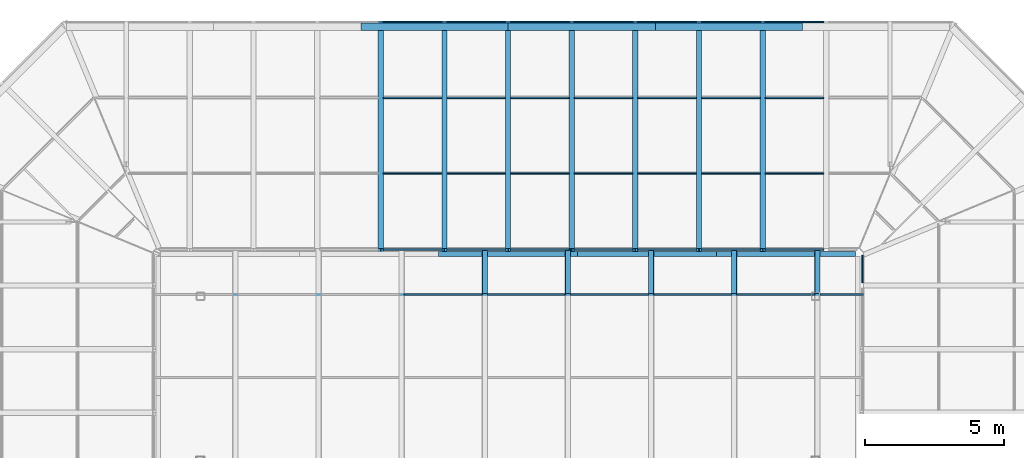
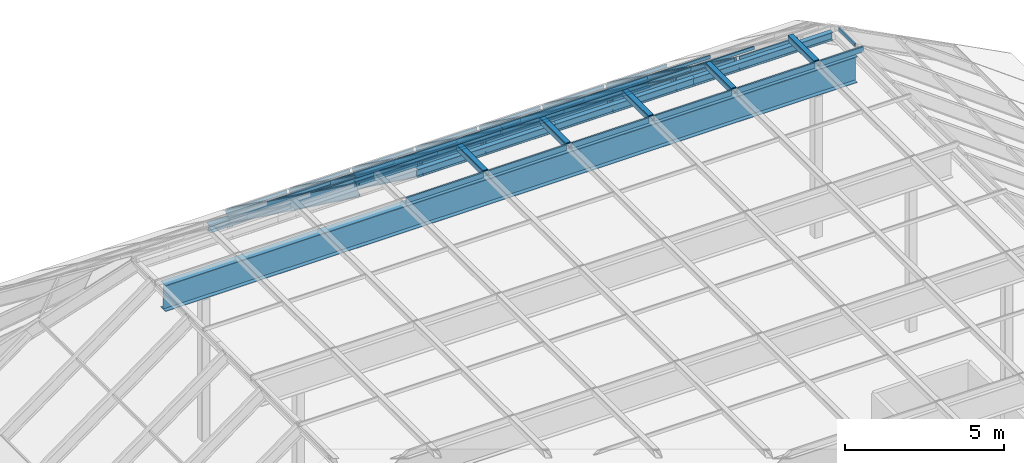
# One storey, part 9 of 15: 59 members, 3 elements without a shape of their own.
"""IFC4 building model written with IfcOpenShell, lengths in metres."""

from ifc_helpers import new_model, si_unit, direction, frame, origin, origin_2d, place, context, subcontext, project, spatial, rectangle, hollow_rectangle, i_section, extrude, material, constituent, constituent_set, material_profile, profile_set, type_object, element, aggregate, save


model = new_model("IFC4")

# Units and contexts
model_context = context("Model", 3, precision=1e-05, world=origin(), true_north=direction((0.0, 1.0)))
body_context = subcontext(model_context, "Body", "Model", "MODEL_VIEW")
ifc_project = project(units=[si_unit("LENGTHUNIT", "METRE"), si_unit("AREAUNIT", "SQUARE_METRE"), si_unit("VOLUMEUNIT", "CUBIC_METRE"), si_unit("PLANEANGLEUNIT", "RADIAN"), si_unit("MASSUNIT", "GRAM", prefix="KILO")], contexts=[model_context])

# Site, building, storey
site_placement = place(None, origin())
site = spatial("IfcSite", under=ifc_project, at=site_placement, CompositionType="ELEMENT")
building_placement = place(site_placement, origin())
building = spatial("IfcBuilding", under=site, at=building_placement, Name="Quoin Convention Tower", CompositionType="ELEMENT")
storey_placement = place(building_placement, frame((0.0, 0.0, 273.699951171875)))
storey = spatial("IfcBuildingStorey", under=building, at=storey_placement, Name="Roof", CompositionType="ELEMENT", Elevation=273.699951171875)

# Member
ifc_material_1 = material(Name="Steel Grade 300", Category="steel")
ifc_material_profile_1 = material_profile(ifc_material_1, i_section(OverallWidth=0.300048828125, OverallDepth=1.0, WebThickness=0.01611328125, FlangeThickness=0.02001953125, at=origin_2d()), Name="1000WB215")
ifc_profile_set_1 = profile_set([ifc_material_profile_1], Name="Steel Grade 300")
member_type_1 = type_object("IfcMemberType", Name="1000WB215 CAP GIRDER", PredefinedType="STRINGER", material=ifc_profile_set_1)
member_1_placement = place(storey_placement, frame((43.7099609375, 71.909912109375, 5.8955078125), z_axis=(1.0, 0.0, 0.0), x_axis=(0.0, 1.0, 0.0)))
element("IfcMember", 1, at=member_1_placement, inside=storey, type_object=member_type_1, Name="LANTERN CAP GIRDER", PredefinedType="STRINGER", context=body_context, shape_type="SweptSolid", body=[
    extrude(i_section(OverallWidth=0.300048828125, OverallDepth=1.0, WebThickness=0.01611328125, FlangeThickness=0.02001953125, at=origin_2d()), origin(), (0.0, 0.0, 1.0), 25.080078125),
])

# Curtain wall, members
ifc_material_2 = material(Name="Aluminium", Category="aluminium")
ifc_constituent_1 = constituent(ifc_material_2, Name="Frame")
ifc_material_3 = material(Name="Insulated glass", Category="glass")
ifc_constituent_2 = constituent(ifc_material_3, Name="Glazing")
ifc_constituent_set = constituent_set(constituents=[ifc_constituent_1, ifc_constituent_2], Name="Aluminium")
curtain_wall_type = type_object("IfcCurtainWallType", Name="Lantern roof system", PredefinedType="NOTDEFINED", material=ifc_constituent_set)
curtain_wall_1_placement = place(storey_placement, origin())
curtain_wall_1 = element("IfcCurtainWall", 2, at=curtain_wall_1_placement, inside=storey, type_object=curtain_wall_type, Name="crn-LNR-CAP", PredefinedType="NOTDEFINED")
ifc_material_4 = material(Name="Steel C450L0", Category="steel")
ifc_material_profile_2 = material_profile(ifc_material_4, hollow_rectangle(XDim=0.199951171875, YDim=0.199951171875, WallThickness=0.010009765625, InnerFilletRadius=0.014892578125, OuterFilletRadius=0.02490234375, at=origin_2d()), Name="200x200x10.0SHS")
ifc_profile_set_2 = profile_set([ifc_material_profile_2], Name="Steel C450L0")
member_type_2 = type_object("IfcMemberType", Name="200x200x10.0SHS LANTERN CAP RAIL", PredefinedType="MULLION", material=ifc_profile_set_2)
member_2_placement = place(storey_placement, frame((55.409912109375, 71.93994140625, 6.495361328125), z_axis=(0.0, 1.0, 0.0), x_axis=(-1.0, 0.0, 0.0)))
member_2 = element("IfcMember", 3, at=member_2_placement, type_object=member_type_2, Name="CW6 cap rail", PredefinedType="MULLION", context=body_context, shape_type="SweptSolid", body=[
    extrude(hollow_rectangle(XDim=0.199951171875, YDim=0.199951171875, WallThickness=0.010009765625, InnerFilletRadius=0.014892578125, OuterFilletRadius=0.02490234375, at=origin_2d()), origin(), (0.0, 0.0, 1.0), 1.633544921875),
])
member_3_placement = place(storey_placement, frame((58.409912109375, 71.93994140625, 6.495361328125), z_axis=(0.0, 1.0, 0.0), x_axis=(-1.0, 0.0, 0.0)))
member_3 = element("IfcMember", 4, at=member_3_placement, type_object=member_type_2, Name="CW6 cap rail", PredefinedType="MULLION", context=body_context, shape_type="SweptSolid", body=[
    extrude(hollow_rectangle(XDim=0.199951171875, YDim=0.199951171875, WallThickness=0.010009765625, InnerFilletRadius=0.014892578125, OuterFilletRadius=0.02490234375, at=origin_2d()), origin(), (0.0, 0.0, 1.0), 1.633544921875),
])
member_4_placement = place(storey_placement, frame((61.409912109375, 71.93994140625, 6.495361328125), z_axis=(0.0, 1.0, 0.0), x_axis=(-1.0, 0.0, 0.0)))
member_4 = element("IfcMember", 5, at=member_4_placement, type_object=member_type_2, Name="CW6 cap rail", PredefinedType="MULLION", context=body_context, shape_type="SweptSolid", body=[
    extrude(hollow_rectangle(XDim=0.199951171875, YDim=0.199951171875, WallThickness=0.010009765625, InnerFilletRadius=0.014892578125, OuterFilletRadius=0.02490234375, at=origin_2d()), origin(), (0.0, 0.0, 1.0), 1.633544921875),
])
member_5_placement = place(storey_placement, frame((64.409912109375, 71.93994140625, 6.495361328125), z_axis=(0.0, 1.0, 0.0), x_axis=(-1.0, 0.0, 0.0)))
member_5 = element("IfcMember", 6, at=member_5_placement, type_object=member_type_2, Name="CW6 cap rail", PredefinedType="MULLION", context=body_context, shape_type="SweptSolid", body=[
    extrude(hollow_rectangle(XDim=0.199951171875, YDim=0.199951171875, WallThickness=0.010009765625, InnerFilletRadius=0.014892578125, OuterFilletRadius=0.02490234375, at=origin_2d()), origin(), (0.0, 0.0, 1.0), 1.633544921875),
])
member_6_placement = place(storey_placement, frame((67.409912109375, 71.93994140625, 6.495361328125), z_axis=(0.0, 1.0, 0.0), x_axis=(-1.0, 0.0, 0.0)))
member_6 = element("IfcMember", 7, at=member_6_placement, type_object=member_type_2, Name="CW6 cap rail", PredefinedType="MULLION", context=body_context, shape_type="SweptSolid", body=[
    extrude(hollow_rectangle(XDim=0.199951171875, YDim=0.199951171875, WallThickness=0.010009765625, InnerFilletRadius=0.014892578125, OuterFilletRadius=0.02490234375, at=origin_2d()), origin(), (0.0, 0.0, 1.0), 1.633544921875),
])

# Members
ifc_material_profile_3 = material_profile(ifc_material_1, i_section(OverallWidth=0.256103515625, OverallDepth=0.260009765625, WebThickness=0.010498046875, FlangeThickness=0.017333984375, FilletRadius=0.013916015625, at=origin_2d()), Name="250UC89.5")
ifc_profile_set_3 = profile_set([ifc_material_profile_3], Name="Steel Grade 300")
member_type_3 = type_object("IfcMemberType", Name="250UC89.5 EAVES RING", PredefinedType="CHORD", material=ifc_profile_set_3)
for number, where, z_axis, x_axis, name in (
    (8, (66.87255859375, 81.572021484375, 0.130126953125), (-1.0, 0.0, 0.0), (0.0, -1.0, 0.0), "LANTERN EAVES RING"),
    (9, (61.561279296875, 81.572021484375, 0.130126953125), (-1.0, 0.0, 0.0), (0.0, -1.0, 0.0), "LANTERN EAVES RING"),
    (10, (56.25, 81.572021484375, 0.130126953125), (-1.0, 0.0, 0.0), (0.0, -1.0, 0.0), "LANTERN EAVES RING"),
):
    element("IfcMember", number, at=place(storey_placement, frame(where, z_axis=z_axis, x_axis=x_axis)), inside=storey, type_object=member_type_3, Name=name, PredefinedType="CHORD", context=body_context, shape_type="SweptSolid", body=[
        extrude(i_section(OverallWidth=0.256103515625, OverallDepth=0.260009765625, WebThickness=0.010498046875, FlangeThickness=0.017333984375, FilletRadius=0.013916015625, at=origin_2d()), origin(), (0.0, 0.0, 1.0), 5.311279296875),
    ])
ifc_material_profile_4 = material_profile(ifc_material_1, i_section(OverallWidth=0.166015625, OverallDepth=0.306884765625, WebThickness=0.006591796875, FlangeThickness=0.01171875, FilletRadius=0.011474609375, at=origin_2d()), Name="310UB46.2")
ifc_profile_set_4 = profile_set([ifc_material_profile_4], Name="Steel Grade 300")
member_type_4 = type_object("IfcMemberType", Name="310UB46.2 COMPRESSION RING", PredefinedType="CHORD", material=ifc_profile_set_4)
member_7_placement = place(storey_placement, frame((68.7900390625, 73.373046875, 6.241943359375), z_axis=(-1.0, 0.0, 0.0), x_axis=(0.0, -1.0, 0.0)))
element("IfcMember", 11, at=member_7_placement, inside=storey, type_object=member_type_4, Name="LANTERN COMPRESSION RING", PredefinedType="CHORD", context=body_context, shape_type="SweptSolid", body=[
    extrude(i_section(OverallWidth=0.166015625, OverallDepth=0.306884765625, WebThickness=0.006591796875, FlangeThickness=0.01171875, FilletRadius=0.011474609375, at=origin_2d()), origin(), (0.0, 0.0, 1.0), 5.01611328125),
])
member_8_placement = place(storey_placement, frame((63.77392578125, 73.373046875, 6.241943359375), z_axis=(-1.0, 0.0, 0.0), x_axis=(0.0, -1.0, 0.0)))
element("IfcMember", 12, at=member_8_placement, inside=storey, type_object=member_type_4, Name="LANTERN COMPRESSION RING", PredefinedType="CHORD", context=body_context, shape_type="SweptSolid", body=[
    extrude(i_section(OverallWidth=0.166015625, OverallDepth=0.306884765625, WebThickness=0.006591796875, FlangeThickness=0.01171875, FilletRadius=0.011474609375, at=origin_2d()), origin(), (0.0, 0.0, 1.0), 5.015869140625),
])
member_9_placement = place(storey_placement, frame((58.758056640625, 73.373046875, 6.241943359375), z_axis=(-1.0, 0.0, 0.0), x_axis=(0.0, -1.0, 0.0)))
element("IfcMember", 13, at=member_9_placement, inside=storey, type_object=member_type_4, Name="LANTERN COMPRESSION RING", PredefinedType="CHORD", context=body_context, shape_type="SweptSolid", body=[
    extrude(i_section(OverallWidth=0.166015625, OverallDepth=0.306884765625, WebThickness=0.006591796875, FlangeThickness=0.01171875, FilletRadius=0.011474609375, at=origin_2d()), origin(), (0.0, 0.0, 1.0), 5.01611328125),
])

# Curtain wall, members
curtain_wall_2_placement = place(storey_placement, origin())
curtain_wall_2 = element("IfcCurtainWall", 14, at=curtain_wall_2_placement, inside=storey, type_object=curtain_wall_type, Name="crn-LNR-F72327_81790", PredefinedType="NOTDEFINED")
ifc_material_profile_5 = material_profile(ifc_material_1, i_section(OverallWidth=0.18994140625, OverallDepth=0.4541015625, WebThickness=0.008544921875, FlangeThickness=0.0126953125, FilletRadius=0.011474609375, at=origin_2d()), Name="460UB67.1")
ifc_profile_set_5 = profile_set([ifc_material_profile_5], Name="Steel Grade 300")
member_type_5 = type_object("IfcMemberType", Name="460UB67.1 LANTERN RAFTER", PredefinedType="MULLION", material=ifc_profile_set_5)
member_10_placement = place(storey_placement, frame((65.43701171875, 81.639404296875, 0.26953125), z_axis=(0.0, -0.807028649932, 0.590512284537), x_axis=(1.0, 0.0, 0.0)))
member_10 = element("IfcMember", 15, at=member_10_placement, type_object=member_type_5, Name="CW6 steel rafter", PredefinedType="MULLION", context=body_context, shape_type="SweptSolid", body=[
    extrude(i_section(OverallWidth=0.18994140625, OverallDepth=0.4541015625, WebThickness=0.008544921875, FlangeThickness=0.0126953125, FilletRadius=0.011474609375, at=origin_2d()), origin(), (0.0, 0.0, 1.0), 10.16064453125),
])
member_11_placement = place(storey_placement, frame((63.14013671875, 81.639404296875, 0.26953125), z_axis=(0.0, -0.807028649932, 0.590512284537), x_axis=(1.0, 0.0, 0.0)))
member_11 = element("IfcMember", 16, at=member_11_placement, type_object=member_type_5, Name="CW6 steel rafter", PredefinedType="MULLION", context=body_context, shape_type="SweptSolid", body=[
    extrude(i_section(OverallWidth=0.18994140625, OverallDepth=0.4541015625, WebThickness=0.008544921875, FlangeThickness=0.0126953125, FilletRadius=0.011474609375, at=origin_2d()), origin(), (0.0, 0.0, 1.0), 10.16064453125),
])
member_12_placement = place(storey_placement, frame((60.843505859375, 81.639404296875, 0.26953125), z_axis=(0.0, -0.807028649932, 0.590512284537), x_axis=(1.0, 0.0, 0.0)))
member_12 = element("IfcMember", 17, at=member_12_placement, type_object=member_type_5, Name="CW6 steel rafter", PredefinedType="MULLION", context=body_context, shape_type="SweptSolid", body=[
    extrude(i_section(OverallWidth=0.18994140625, OverallDepth=0.4541015625, WebThickness=0.008544921875, FlangeThickness=0.0126953125, FilletRadius=0.011474609375, at=origin_2d()), origin(), (0.0, 0.0, 1.0), 10.16064453125),
])
member_13_placement = place(storey_placement, frame((58.546630859375, 81.639404296875, 0.26953125), z_axis=(0.0, -0.807028649932, 0.590512284537), x_axis=(1.0, 0.0, 0.0)))
member_13 = element("IfcMember", 18, at=member_13_placement, type_object=member_type_5, Name="CW6 steel rafter", PredefinedType="MULLION", context=body_context, shape_type="SweptSolid", body=[
    extrude(i_section(OverallWidth=0.18994140625, OverallDepth=0.4541015625, WebThickness=0.008544921875, FlangeThickness=0.0126953125, FilletRadius=0.011474609375, at=origin_2d()), origin(), (0.0, 0.0, 1.0), 10.16064453125),
])
member_14_placement = place(storey_placement, frame((56.25, 81.639404296875, 0.26953125), z_axis=(0.0, -0.807028649932, 0.590512284537), x_axis=(1.0, 0.0, 0.0)))
member_14 = element("IfcMember", 19, at=member_14_placement, type_object=member_type_5, Name="CW6 steel rafter", PredefinedType="MULLION", context=body_context, shape_type="SweptSolid", body=[
    extrude(i_section(OverallWidth=0.18994140625, OverallDepth=0.4541015625, WebThickness=0.008544921875, FlangeThickness=0.0126953125, FilletRadius=0.011474609375, at=origin_2d()), origin(), (0.0, 0.0, 1.0), 10.16064453125),
])
member_15_placement = place(storey_placement, frame((53.953369140625, 81.639404296875, 0.26953125), z_axis=(0.0, -0.807028649932, 0.590512284537), x_axis=(1.0, 0.0, 0.0)))
member_15 = element("IfcMember", 20, at=member_15_placement, type_object=member_type_5, Name="CW6 steel rafter", PredefinedType="MULLION", context=body_context, shape_type="SweptSolid", body=[
    extrude(i_section(OverallWidth=0.18994140625, OverallDepth=0.4541015625, WebThickness=0.008544921875, FlangeThickness=0.0126953125, FilletRadius=0.011474609375, at=origin_2d()), origin(), (0.0, 0.0, 1.0), 10.16064453125),
])
member_16_placement = place(storey_placement, frame((51.656494140625, 81.639404296875, 0.26953125), z_axis=(0.0, -0.807028649932, 0.590512284537), x_axis=(1.0, 0.0, 0.0)))
member_16 = element("IfcMember", 21, at=member_16_placement, type_object=member_type_5, Name="CW6 steel rafter", PredefinedType="MULLION", context=body_context, shape_type="SweptSolid", body=[
    extrude(i_section(OverallWidth=0.18994140625, OverallDepth=0.4541015625, WebThickness=0.008544921875, FlangeThickness=0.0126953125, FilletRadius=0.011474609375, at=origin_2d()), origin(), (0.0, 0.0, 1.0), 10.16064453125),
])

# Member
ifc_material_profile_6 = material_profile(ifc_material_2, rectangle(XDim=0.028076171875, YDim=0.179931640625, at=origin_2d()), Name="Lantern roof cap cover bar 180x28")
ifc_profile_set_6 = profile_set([ifc_material_profile_6], Name="Aluminium")
member_type_6 = type_object("IfcMemberType", Name="Lantern roof cap cover bar 180x28", PredefinedType="USERDEFINED", material=ifc_profile_set_6)
member_17_placement = place(storey_placement, frame((55.409912109375, 71.93994140625, 6.609375), z_axis=(0.0, 1.0, 0.0), x_axis=(0.0, 0.0, 1.0)))
member_17 = element("IfcMember", 22, at=member_17_placement, type_object=member_type_6, Name="CW6 cap cover bar", ObjectType="CAP COVER", PredefinedType="USERDEFINED", context=body_context, shape_type="SweptSolid", body=[
    extrude(rectangle(XDim=0.028076171875, YDim=0.179931640625, at=origin_2d()), origin(), (0.0, 0.0, 1.0), 1.633544921875),
])

member_18_placement = place(storey_placement, frame((58.409912109375, 71.93994140625, 6.609375), z_axis=(0.0, 1.0, 0.0), x_axis=(0.0, 0.0, 1.0)))
member_18 = element("IfcMember", 23, at=member_18_placement, type_object=member_type_6, Name="CW6 cap cover bar", ObjectType="CAP COVER", PredefinedType="USERDEFINED", context=body_context, shape_type="SweptSolid", body=[
    extrude(rectangle(XDim=0.028076171875, YDim=0.179931640625, at=origin_2d()), origin(), (0.0, 0.0, 1.0), 1.633544921875),
])

member_19_placement = place(storey_placement, frame((61.409912109375, 71.93994140625, 6.609375), z_axis=(0.0, 1.0, 0.0), x_axis=(0.0, 0.0, 1.0)))
member_19 = element("IfcMember", 24, at=member_19_placement, type_object=member_type_6, Name="CW6 cap cover bar", ObjectType="CAP COVER", PredefinedType="USERDEFINED", context=body_context, shape_type="SweptSolid", body=[
    extrude(rectangle(XDim=0.028076171875, YDim=0.179931640625, at=origin_2d()), origin(), (0.0, 0.0, 1.0), 1.633544921875),
])

member_20_placement = place(storey_placement, frame((64.409912109375, 71.93994140625, 6.609375), z_axis=(0.0, 1.0, 0.0), x_axis=(0.0, 0.0, 1.0)))
member_20 = element("IfcMember", 25, at=member_20_placement, type_object=member_type_6, Name="CW6 cap cover bar", ObjectType="CAP COVER", PredefinedType="USERDEFINED", context=body_context, shape_type="SweptSolid", body=[
    extrude(rectangle(XDim=0.028076171875, YDim=0.179931640625, at=origin_2d()), origin(), (0.0, 0.0, 1.0), 1.633544921875),
])

member_21_placement = place(storey_placement, frame((67.409912109375, 71.93994140625, 6.609375), z_axis=(0.0, 1.0, 0.0), x_axis=(0.0, 0.0, 1.0)))
member_21 = element("IfcMember", 26, at=member_21_placement, type_object=member_type_6, Name="CW6 cap cover bar", ObjectType="CAP COVER", PredefinedType="USERDEFINED", context=body_context, shape_type="SweptSolid", body=[
    extrude(rectangle(XDim=0.028076171875, YDim=0.179931640625, at=origin_2d()), origin(), (0.0, 0.0, 1.0), 1.633544921875),
])

ifc_material_profile_7 = material_profile(ifc_material_2, rectangle(XDim=0.199951171875, YDim=0.06005859375, at=origin_2d()), Name="Lantern roof mullion 60x200")
ifc_profile_set_7 = profile_set([ifc_material_profile_7], Name="Aluminium")
member_type_7 = type_object("IfcMemberType", Name="Lantern roof mullion 60x200", PredefinedType="MULLION", material=ifc_profile_set_7)
member_22_placement = place(storey_placement, frame((52.510009765625, 71.909912109375, 6.495361328125), z_axis=(1.0, 0.0, 0.0), x_axis=(0.0, 0.0, 1.0)))
member_22 = element("IfcMember", 27, at=member_22_placement, type_object=member_type_7, Name="CW6 cap beam", PredefinedType="MULLION", context=body_context, shape_type="SweptSolid", body=[
    extrude(rectangle(XDim=0.199951171875, YDim=0.06005859375, at=origin_2d()), origin(), (0.0, 0.0, 1.0), 2.800048828125),
])

member_23_placement = place(storey_placement, frame((55.510009765625, 71.909912109375, 6.495361328125), z_axis=(1.0, 0.0, 0.0), x_axis=(0.0, 0.0, 1.0)))
member_23 = element("IfcMember", 28, at=member_23_placement, type_object=member_type_7, Name="CW6 cap beam", PredefinedType="MULLION", context=body_context, shape_type="SweptSolid", body=[
    extrude(rectangle(XDim=0.199951171875, YDim=0.06005859375, at=origin_2d()), origin(), (0.0, 0.0, 1.0), 2.800048828125),
])

member_24_placement = place(storey_placement, frame((58.510009765625, 71.909912109375, 6.495361328125), z_axis=(1.0, 0.0, 0.0), x_axis=(0.0, 0.0, 1.0)))
member_24 = element("IfcMember", 29, at=member_24_placement, type_object=member_type_7, Name="CW6 cap beam", PredefinedType="MULLION", context=body_context, shape_type="SweptSolid", body=[
    extrude(rectangle(XDim=0.199951171875, YDim=0.06005859375, at=origin_2d()), origin(), (0.0, 0.0, 1.0), 2.800048828125),
])

member_25_placement = place(storey_placement, frame((61.510009765625, 71.909912109375, 6.495361328125), z_axis=(1.0, 0.0, 0.0), x_axis=(0.0, 0.0, 1.0)))
member_25 = element("IfcMember", 30, at=member_25_placement, type_object=member_type_7, Name="CW6 cap beam", PredefinedType="MULLION", context=body_context, shape_type="SweptSolid", body=[
    extrude(rectangle(XDim=0.199951171875, YDim=0.06005859375, at=origin_2d()), origin(), (0.0, 0.0, 1.0), 2.800048828125),
])

member_26_placement = place(storey_placement, frame((64.510009765625, 71.909912109375, 6.495361328125), z_axis=(1.0, 0.0, 0.0), x_axis=(0.0, 0.0, 1.0)))
member_26 = element("IfcMember", 31, at=member_26_placement, type_object=member_type_7, Name="CW6 cap beam", PredefinedType="MULLION", context=body_context, shape_type="SweptSolid", body=[
    extrude(rectangle(XDim=0.199951171875, YDim=0.06005859375, at=origin_2d()), origin(), (0.0, 0.0, 1.0), 2.800048828125),
])

member_27_placement = place(storey_placement, frame((67.510009765625, 71.909912109375, 6.495361328125), z_axis=(1.0, 0.0, 0.0), x_axis=(0.0, 0.0, 1.0)))
member_27 = element("IfcMember", 32, at=member_27_placement, type_object=member_type_7, Name="CW6 cap beam", PredefinedType="MULLION", context=body_context, shape_type="SweptSolid", body=[
    extrude(rectangle(XDim=0.199951171875, YDim=0.06005859375, at=origin_2d()), origin(), (0.0, 0.0, 1.0), 1.5634765625),
])

aggregate(curtain_wall_1, [member_22, member_23, member_24, member_25, member_26, member_27, member_2, member_3, member_4, member_5, member_6, member_17, member_18, member_19, member_20, member_21])

# Curtain wall, member
curtain_wall_3_placement = place(storey_placement, origin())
curtain_wall_3 = element("IfcCurtainWall", 33, at=curtain_wall_3_placement, inside=storey, type_object=curtain_wall_type, Name="crn-LNR-F77290_44673", PredefinedType="NOTDEFINED")
ifc_material_profile_8 = material_profile(ifc_material_2, rectangle(XDim=0.1201171875, YDim=0.050048828125, at=origin_2d()), Name="Lantern roof transom 50x120")
ifc_profile_set_8 = profile_set([ifc_material_profile_8], Name="Aluminium")
member_type_8 = type_object("IfcMemberType", Name="Lantern roof transom 50x120", PredefinedType="USERDEFINED", material=ifc_profile_set_8)
member_28_placement = place(storey_placement, frame((69.0380859375, 72.32861328125, 6.404541015625), z_axis=(0.0, 1.0, 0.0), x_axis=(0.0, 0.0, 1.0)))
member_28 = element("IfcMember", 34, at=member_28_placement, type_object=member_type_8, Name="CW6 transom", ObjectType="TRANSOM", PredefinedType="USERDEFINED", context=body_context, shape_type="SweptSolid", body=[
    extrude(rectangle(XDim=0.1201171875, YDim=0.050048828125, at=origin_2d()), origin(), (0.0, 0.0, 1.0), 1.001953125),
])
aggregate(curtain_wall_3, [member_28])

# Member
member_29_placement = place(storey_placement, frame((67.638671875, 81.738037109375, 0.404541015625), z_axis=(-1.0, 0.0, 0.0), x_axis=(0.0, 0.0, 1.0)))
member_29 = element("IfcMember", 35, at=member_29_placement, type_object=member_type_8, Name="CW6 transom", ObjectType="TRANSOM", PredefinedType="USERDEFINED", context=body_context, shape_type="SweptSolid", body=[
    extrude(rectangle(XDim=0.1201171875, YDim=0.050048828125, at=origin_2d()), origin(), (0.0, 0.0, 1.0), 2.106689453125),
])

member_30_placement = place(storey_placement, frame((65.342041015625, 81.738037109375, 0.404541015625), z_axis=(-1.0, 0.0, 0.0), x_axis=(0.0, 0.0, 1.0)))
member_30 = element("IfcMember", 36, at=member_30_placement, type_object=member_type_8, Name="CW6 transom", ObjectType="TRANSOM", PredefinedType="USERDEFINED", context=body_context, shape_type="SweptSolid", body=[
    extrude(rectangle(XDim=0.1201171875, YDim=0.050048828125, at=origin_2d()), origin(), (0.0, 0.0, 1.0), 2.10693359375),
])

member_31_placement = place(storey_placement, frame((63.045166015625, 81.738037109375, 0.404541015625), z_axis=(-1.0, 0.0, 0.0), x_axis=(0.0, 0.0, 1.0)))
member_31 = element("IfcMember", 37, at=member_31_placement, type_object=member_type_8, Name="CW6 transom", ObjectType="TRANSOM", PredefinedType="USERDEFINED", context=body_context, shape_type="SweptSolid", body=[
    extrude(rectangle(XDim=0.1201171875, YDim=0.050048828125, at=origin_2d()), origin(), (0.0, 0.0, 1.0), 2.106689453125),
])

member_32_placement = place(storey_placement, frame((60.74853515625, 81.738037109375, 0.404541015625), z_axis=(-1.0, 0.0, 0.0), x_axis=(0.0, 0.0, 1.0)))
member_32 = element("IfcMember", 38, at=member_32_placement, type_object=member_type_8, Name="CW6 transom", ObjectType="TRANSOM", PredefinedType="USERDEFINED", context=body_context, shape_type="SweptSolid", body=[
    extrude(rectangle(XDim=0.1201171875, YDim=0.050048828125, at=origin_2d()), origin(), (0.0, 0.0, 1.0), 2.10693359375),
])

member_33_placement = place(storey_placement, frame((58.45166015625, 81.738037109375, 0.404541015625), z_axis=(-1.0, 0.0, 0.0), x_axis=(0.0, 0.0, 1.0)))
member_33 = element("IfcMember", 39, at=member_33_placement, type_object=member_type_8, Name="CW6 transom", ObjectType="TRANSOM", PredefinedType="USERDEFINED", context=body_context, shape_type="SweptSolid", body=[
    extrude(rectangle(XDim=0.1201171875, YDim=0.050048828125, at=origin_2d()), origin(), (0.0, 0.0, 1.0), 2.106689453125),
])

member_34_placement = place(storey_placement, frame((56.155029296875, 81.738037109375, 0.404541015625), z_axis=(-1.0, 0.0, 0.0), x_axis=(0.0, 0.0, 1.0)))
member_34 = element("IfcMember", 40, at=member_34_placement, type_object=member_type_8, Name="CW6 transom", ObjectType="TRANSOM", PredefinedType="USERDEFINED", context=body_context, shape_type="SweptSolid", body=[
    extrude(rectangle(XDim=0.1201171875, YDim=0.050048828125, at=origin_2d()), origin(), (0.0, 0.0, 1.0), 2.106689453125),
])

member_35_placement = place(storey_placement, frame((53.8583984375, 81.738037109375, 0.404541015625), z_axis=(-1.0, 0.0, 0.0), x_axis=(0.0, 0.0, 1.0)))
member_35 = element("IfcMember", 41, at=member_35_placement, type_object=member_type_8, Name="CW6 transom", ObjectType="TRANSOM", PredefinedType="USERDEFINED", context=body_context, shape_type="SweptSolid", body=[
    extrude(rectangle(XDim=0.1201171875, YDim=0.050048828125, at=origin_2d()), origin(), (0.0, 0.0, 1.0), 2.10693359375),
])

member_36_placement = place(storey_placement, frame((67.638671875, 79.004638671875, 2.404541015625), z_axis=(-1.0, 0.0, 0.0), x_axis=(0.0, 0.0, 1.0)))
member_36 = element("IfcMember", 42, at=member_36_placement, type_object=member_type_8, Name="CW6 transom", ObjectType="TRANSOM", PredefinedType="USERDEFINED", context=body_context, shape_type="SweptSolid", body=[
    extrude(rectangle(XDim=0.1201171875, YDim=0.050048828125, at=origin_2d()), origin(), (0.0, 0.0, 1.0), 2.106689453125),
])

member_37_placement = place(storey_placement, frame((65.342041015625, 79.004638671875, 2.404541015625), z_axis=(-1.0, 0.0, 0.0), x_axis=(0.0, 0.0, 1.0)))
member_37 = element("IfcMember", 43, at=member_37_placement, type_object=member_type_8, Name="CW6 transom", ObjectType="TRANSOM", PredefinedType="USERDEFINED", context=body_context, shape_type="SweptSolid", body=[
    extrude(rectangle(XDim=0.1201171875, YDim=0.050048828125, at=origin_2d()), origin(), (0.0, 0.0, 1.0), 2.10693359375),
])

member_38_placement = place(storey_placement, frame((63.045166015625, 79.004638671875, 2.404541015625), z_axis=(-1.0, 0.0, 0.0), x_axis=(0.0, 0.0, 1.0)))
member_38 = element("IfcMember", 44, at=member_38_placement, type_object=member_type_8, Name="CW6 transom", ObjectType="TRANSOM", PredefinedType="USERDEFINED", context=body_context, shape_type="SweptSolid", body=[
    extrude(rectangle(XDim=0.1201171875, YDim=0.050048828125, at=origin_2d()), origin(), (0.0, 0.0, 1.0), 2.106689453125),
])

member_39_placement = place(storey_placement, frame((60.74853515625, 79.004638671875, 2.404541015625), z_axis=(-1.0, 0.0, 0.0), x_axis=(0.0, 0.0, 1.0)))
member_39 = element("IfcMember", 45, at=member_39_placement, type_object=member_type_8, Name="CW6 transom", ObjectType="TRANSOM", PredefinedType="USERDEFINED", context=body_context, shape_type="SweptSolid", body=[
    extrude(rectangle(XDim=0.1201171875, YDim=0.050048828125, at=origin_2d()), origin(), (0.0, 0.0, 1.0), 2.10693359375),
])

member_40_placement = place(storey_placement, frame((58.45166015625, 79.004638671875, 2.404541015625), z_axis=(-1.0, 0.0, 0.0), x_axis=(0.0, 0.0, 1.0)))
member_40 = element("IfcMember", 46, at=member_40_placement, type_object=member_type_8, Name="CW6 transom", ObjectType="TRANSOM", PredefinedType="USERDEFINED", context=body_context, shape_type="SweptSolid", body=[
    extrude(rectangle(XDim=0.1201171875, YDim=0.050048828125, at=origin_2d()), origin(), (0.0, 0.0, 1.0), 2.106689453125),
])

member_41_placement = place(storey_placement, frame((56.155029296875, 79.004638671875, 2.404541015625), z_axis=(-1.0, 0.0, 0.0), x_axis=(0.0, 0.0, 1.0)))
member_41 = element("IfcMember", 47, at=member_41_placement, type_object=member_type_8, Name="CW6 transom", ObjectType="TRANSOM", PredefinedType="USERDEFINED", context=body_context, shape_type="SweptSolid", body=[
    extrude(rectangle(XDim=0.1201171875, YDim=0.050048828125, at=origin_2d()), origin(), (0.0, 0.0, 1.0), 2.106689453125),
])

member_42_placement = place(storey_placement, frame((53.8583984375, 79.004638671875, 2.404541015625), z_axis=(-1.0, 0.0, 0.0), x_axis=(0.0, 0.0, 1.0)))
member_42 = element("IfcMember", 48, at=member_42_placement, type_object=member_type_8, Name="CW6 transom", ObjectType="TRANSOM", PredefinedType="USERDEFINED", context=body_context, shape_type="SweptSolid", body=[
    extrude(rectangle(XDim=0.1201171875, YDim=0.050048828125, at=origin_2d()), origin(), (0.0, 0.0, 1.0), 2.10693359375),
])

member_43_placement = place(storey_placement, frame((67.638671875, 76.271484375, 4.404541015625), z_axis=(-1.0, 0.0, 0.0), x_axis=(0.0, 0.0, 1.0)))
member_43 = element("IfcMember", 49, at=member_43_placement, type_object=member_type_8, Name="CW6 transom", ObjectType="TRANSOM", PredefinedType="USERDEFINED", context=body_context, shape_type="SweptSolid", body=[
    extrude(rectangle(XDim=0.1201171875, YDim=0.050048828125, at=origin_2d()), origin(), (0.0, 0.0, 1.0), 2.106689453125),
])

member_44_placement = place(storey_placement, frame((65.342041015625, 76.271484375, 4.404541015625), z_axis=(-1.0, 0.0, 0.0), x_axis=(0.0, 0.0, 1.0)))
member_44 = element("IfcMember", 50, at=member_44_placement, type_object=member_type_8, Name="CW6 transom", ObjectType="TRANSOM", PredefinedType="USERDEFINED", context=body_context, shape_type="SweptSolid", body=[
    extrude(rectangle(XDim=0.1201171875, YDim=0.050048828125, at=origin_2d()), origin(), (0.0, 0.0, 1.0), 2.10693359375),
])

member_45_placement = place(storey_placement, frame((63.045166015625, 76.271484375, 4.404541015625), z_axis=(-1.0, 0.0, 0.0), x_axis=(0.0, 0.0, 1.0)))
member_45 = element("IfcMember", 51, at=member_45_placement, type_object=member_type_8, Name="CW6 transom", ObjectType="TRANSOM", PredefinedType="USERDEFINED", context=body_context, shape_type="SweptSolid", body=[
    extrude(rectangle(XDim=0.1201171875, YDim=0.050048828125, at=origin_2d()), origin(), (0.0, 0.0, 1.0), 2.106689453125),
])

member_46_placement = place(storey_placement, frame((60.74853515625, 76.271484375, 4.404541015625), z_axis=(-1.0, 0.0, 0.0), x_axis=(0.0, 0.0, 1.0)))
member_46 = element("IfcMember", 52, at=member_46_placement, type_object=member_type_8, Name="CW6 transom", ObjectType="TRANSOM", PredefinedType="USERDEFINED", context=body_context, shape_type="SweptSolid", body=[
    extrude(rectangle(XDim=0.1201171875, YDim=0.050048828125, at=origin_2d()), origin(), (0.0, 0.0, 1.0), 2.10693359375),
])

member_47_placement = place(storey_placement, frame((58.45166015625, 76.271484375, 4.404541015625), z_axis=(-1.0, 0.0, 0.0), x_axis=(0.0, 0.0, 1.0)))
member_47 = element("IfcMember", 53, at=member_47_placement, type_object=member_type_8, Name="CW6 transom", ObjectType="TRANSOM", PredefinedType="USERDEFINED", context=body_context, shape_type="SweptSolid", body=[
    extrude(rectangle(XDim=0.1201171875, YDim=0.050048828125, at=origin_2d()), origin(), (0.0, 0.0, 1.0), 2.106689453125),
])

member_48_placement = place(storey_placement, frame((56.155029296875, 76.271484375, 4.404541015625), z_axis=(-1.0, 0.0, 0.0), x_axis=(0.0, 0.0, 1.0)))
member_48 = element("IfcMember", 54, at=member_48_placement, type_object=member_type_8, Name="CW6 transom", ObjectType="TRANSOM", PredefinedType="USERDEFINED", context=body_context, shape_type="SweptSolid", body=[
    extrude(rectangle(XDim=0.1201171875, YDim=0.050048828125, at=origin_2d()), origin(), (0.0, 0.0, 1.0), 2.106689453125),
])

member_49_placement = place(storey_placement, frame((53.8583984375, 76.271484375, 4.404541015625), z_axis=(-1.0, 0.0, 0.0), x_axis=(0.0, 0.0, 1.0)))
member_49 = element("IfcMember", 55, at=member_49_placement, type_object=member_type_8, Name="CW6 transom", ObjectType="TRANSOM", PredefinedType="USERDEFINED", context=body_context, shape_type="SweptSolid", body=[
    extrude(rectangle(XDim=0.1201171875, YDim=0.050048828125, at=origin_2d()), origin(), (0.0, 0.0, 1.0), 2.10693359375),
])

member_50_placement = place(storey_placement, frame((67.638671875, 73.5380859375, 6.404541015625), z_axis=(-1.0, 0.0, 0.0), x_axis=(0.0, 0.0, 1.0)))
member_50 = element("IfcMember", 56, at=member_50_placement, type_object=member_type_8, Name="CW6 transom", ObjectType="TRANSOM", PredefinedType="USERDEFINED", context=body_context, shape_type="SweptSolid", body=[
    extrude(rectangle(XDim=0.1201171875, YDim=0.050048828125, at=origin_2d()), origin(), (0.0, 0.0, 1.0), 2.106689453125),
])

member_51_placement = place(storey_placement, frame((65.342041015625, 73.5380859375, 6.404541015625), z_axis=(-1.0, 0.0, 0.0), x_axis=(0.0, 0.0, 1.0)))
member_51 = element("IfcMember", 57, at=member_51_placement, type_object=member_type_8, Name="CW6 transom", ObjectType="TRANSOM", PredefinedType="USERDEFINED", context=body_context, shape_type="SweptSolid", body=[
    extrude(rectangle(XDim=0.1201171875, YDim=0.050048828125, at=origin_2d()), origin(), (0.0, 0.0, 1.0), 2.10693359375),
])

member_52_placement = place(storey_placement, frame((63.045166015625, 73.5380859375, 6.404541015625), z_axis=(-1.0, 0.0, 0.0), x_axis=(0.0, 0.0, 1.0)))
member_52 = element("IfcMember", 58, at=member_52_placement, type_object=member_type_8, Name="CW6 transom", ObjectType="TRANSOM", PredefinedType="USERDEFINED", context=body_context, shape_type="SweptSolid", body=[
    extrude(rectangle(XDim=0.1201171875, YDim=0.050048828125, at=origin_2d()), origin(), (0.0, 0.0, 1.0), 2.106689453125),
])

member_53_placement = place(storey_placement, frame((60.74853515625, 73.5380859375, 6.404541015625), z_axis=(-1.0, 0.0, 0.0), x_axis=(0.0, 0.0, 1.0)))
member_53 = element("IfcMember", 59, at=member_53_placement, type_object=member_type_8, Name="CW6 transom", ObjectType="TRANSOM", PredefinedType="USERDEFINED", context=body_context, shape_type="SweptSolid", body=[
    extrude(rectangle(XDim=0.1201171875, YDim=0.050048828125, at=origin_2d()), origin(), (0.0, 0.0, 1.0), 2.10693359375),
])

member_54_placement = place(storey_placement, frame((58.45166015625, 73.5380859375, 6.404541015625), z_axis=(-1.0, 0.0, 0.0), x_axis=(0.0, 0.0, 1.0)))
member_54 = element("IfcMember", 60, at=member_54_placement, type_object=member_type_8, Name="CW6 transom", ObjectType="TRANSOM", PredefinedType="USERDEFINED", context=body_context, shape_type="SweptSolid", body=[
    extrude(rectangle(XDim=0.1201171875, YDim=0.050048828125, at=origin_2d()), origin(), (0.0, 0.0, 1.0), 2.106689453125),
])

member_55_placement = place(storey_placement, frame((56.155029296875, 73.5380859375, 6.404541015625), z_axis=(-1.0, 0.0, 0.0), x_axis=(0.0, 0.0, 1.0)))
member_55 = element("IfcMember", 61, at=member_55_placement, type_object=member_type_8, Name="CW6 transom", ObjectType="TRANSOM", PredefinedType="USERDEFINED", context=body_context, shape_type="SweptSolid", body=[
    extrude(rectangle(XDim=0.1201171875, YDim=0.050048828125, at=origin_2d()), origin(), (0.0, 0.0, 1.0), 2.106689453125),
])

member_56_placement = place(storey_placement, frame((53.8583984375, 73.5380859375, 6.404541015625), z_axis=(-1.0, 0.0, 0.0), x_axis=(0.0, 0.0, 1.0)))
member_56 = element("IfcMember", 62, at=member_56_placement, type_object=member_type_8, Name="CW6 transom", ObjectType="TRANSOM", PredefinedType="USERDEFINED", context=body_context, shape_type="SweptSolid", body=[
    extrude(rectangle(XDim=0.1201171875, YDim=0.050048828125, at=origin_2d()), origin(), (0.0, 0.0, 1.0), 2.10693359375),
])

aggregate(curtain_wall_2, [member_10, member_11, member_12, member_13, member_14, member_15, member_16, member_29, member_30, member_31, member_32, member_33, member_34, member_35, member_36, member_37, member_38, member_39, member_40, member_41, member_42, member_43, member_44, member_45, member_46, member_47, member_48, member_49, member_50, member_51, member_52, member_53, member_54, member_55, member_56])

save(model, "model.ifc")
